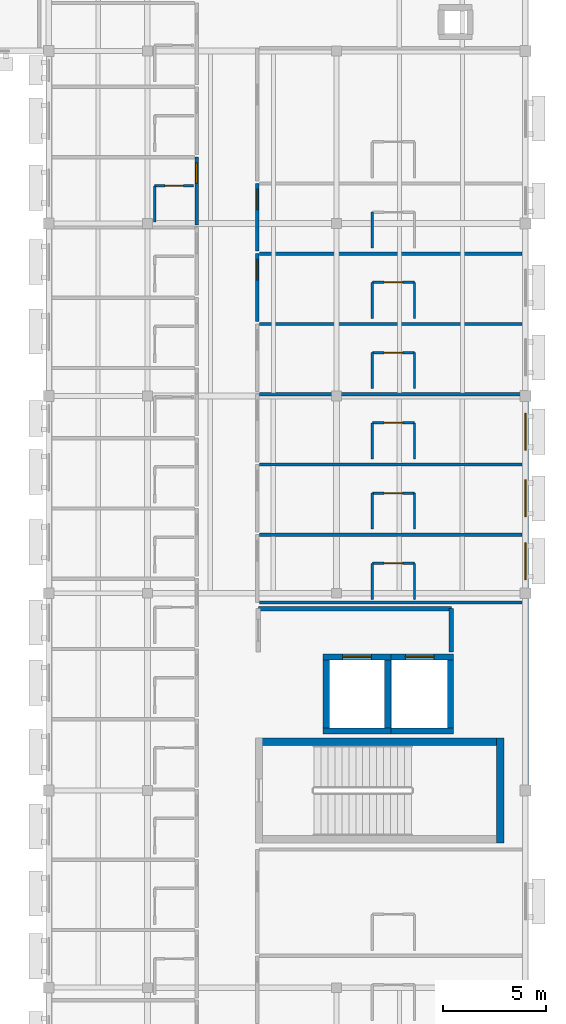
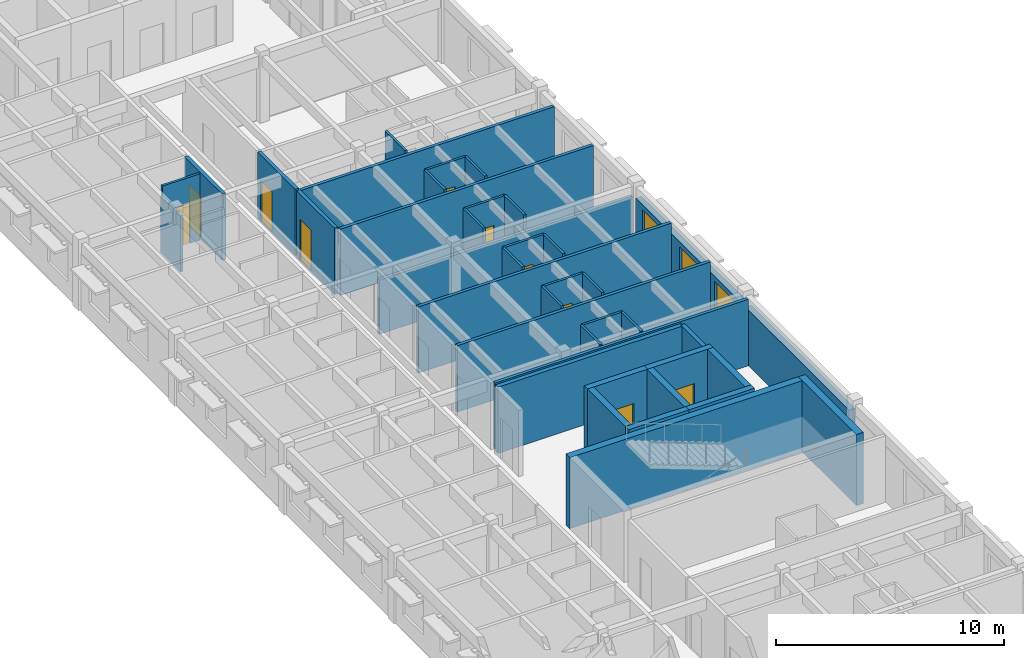
# One storey, part 11 of 22: 40 walls, 11 doors, 3 windows, 14 openings.
"""IFC4 building model written with IfcOpenShell, lengths in metres."""

from ifc_helpers import new_model, si_unit, direction, frame, frame_2d, origin, place, context, subcontext, project, spatial, rectangle, extrude, material, layer, layer_set, type_object, element, fill, save


model = new_model("IFC4")

# Units and contexts
model_context = context("Model", 3, precision=1e-05, world=origin(), true_north=direction((0.0, 1.0)))
body_context = subcontext(model_context, "Body", "Model", "MODEL_VIEW")
ifc_project = project(units=[si_unit("LENGTHUNIT", "METRE"), si_unit("AREAUNIT", "SQUARE_METRE"), si_unit("VOLUMEUNIT", "CUBIC_METRE"), si_unit("PLANEANGLEUNIT", "RADIAN"), si_unit("MASSUNIT", "GRAM", prefix="KILO")], contexts=[model_context])

# Site, building, storey
site_placement = place(None, origin())
site = spatial("IfcSite", under=ifc_project, at=site_placement, CompositionType="ELEMENT")
building_placement = place(site_placement, origin())
building = spatial("IfcBuilding", under=site, at=building_placement, Name="Veldera Park Congress Hotel", CompositionType="ELEMENT")
storey_placement = place(building_placement, frame((0.0, 0.0, 23.800048828125)))
storey = spatial("IfcBuildingStorey", under=building, at=storey_placement, Name="L05", CompositionType="ELEMENT", Elevation=23.800048828125)

# Wall
ifc_material_1 = material(Name="Cross-laminated timber CLT V2M1.1", Category="wood")
ifc_layer_1 = layer(ifc_material_1, 0.300048828125)
ifc_layer_set_1 = layer_set([ifc_layer_1], Name="Cross-laminated timber CLT V2M1.1")
wall_type_1 = type_object("IfcWallType", Name="EW-CLT300", PredefinedType="STANDARD", material=ifc_layer_set_1)
wall_1_placement = place(storey_placement, frame((84.0, -8.741943359375, 0.0), z_axis=(0.0, 0.0, 1.0), x_axis=(0.0, 1.0, 0.0)))
element("IfcWall", 1, at=wall_1_placement, inside=storey, type_object=wall_type_1, Name="L05 Exterior Wall EW3-L05-0283", PredefinedType="STANDARD", context=body_context, shape_type="SweptSolid", body=[
    extrude(rectangle(XDim=9.083984375, YDim=0.300048828125, at=frame_2d((4.5419921875, 0.0))), origin(), (0.0, 0.0, 1.0), 2.96484375),
])

# Wall, openings, windows
wall_2_placement = place(storey_placement, frame((84.0, 0.85791015625, 0.0), z_axis=(0.0, 0.0, 1.0), x_axis=(0.0, 1.0, 0.0)))
wall_2 = element("IfcWall", 2, at=wall_2_placement, inside=storey, type_object=wall_type_1, Name="L05 Exterior Wall EW3-L05-0284", PredefinedType="STANDARD", context=body_context, shape_type="SweptSolid", body=[
    extrude(rectangle(XDim=9.083984375, YDim=0.300048828125, at=frame_2d((4.5419921875, 0.0))), origin(), (0.0, 0.0, 1.0), 2.96484375),
])
opening_1_placement = place(wall_2_placement, frame((0.39599609375, 0.0, 0.85009765625)))
opening_1 = element("IfcOpeningElement", 3, at=opening_1_placement, cuts=wall_2, Name="Opening WIN-1800", PredefinedType="OPENING", context=body_context, shape_type="SweptSolid", body=[
    extrude(rectangle(XDim=1.800048828125, YDim=1.85009765625, at=frame_2d((0.89990234375, 0.925048828125))), frame((0.0, 0.162109375, 0.0), z_axis=(0.0, -1.0, 0.0), x_axis=(1.0, 0.0, 0.0)), (0.0, 0.0, 1.0), 0.323974609375),
])
opening_2_placement = place(wall_2_placement, frame((3.4619140625, 0.0, 0.85009765625)))
opening_2 = element("IfcOpeningElement", 4, at=opening_2_placement, cuts=wall_2, Name="Opening WIN-1800", PredefinedType="OPENING", context=body_context, shape_type="SweptSolid", body=[
    extrude(rectangle(XDim=1.800048828125, YDim=1.85009765625, at=frame_2d((0.89990234375, 0.925048828125))), frame((0.0, 0.162109375, 0.0), z_axis=(0.0, -1.0, 0.0), x_axis=(1.0, 0.0, 0.0)), (0.0, 0.0, 1.0), 0.323974609375),
])
opening_3_placement = place(wall_2_placement, frame((6.7080078125, 0.0, 0.85009765625)))
opening_3 = element("IfcOpeningElement", 5, at=opening_3_placement, cuts=wall_2, Name="Opening WIN-1800", PredefinedType="OPENING", context=body_context, shape_type="SweptSolid", body=[
    extrude(rectangle(XDim=1.800048828125, YDim=1.85009765625, at=frame_2d((0.89990234375, 0.925048828125))), frame((0.0, 0.162109375, 0.0), z_axis=(0.0, -1.0, 0.0), x_axis=(1.0, 0.0, 0.0)), (0.0, 0.0, 1.0), 0.323974609375),
])
ifc_material_2 = material(Name="Low-E Triple Insulating Glass Unit (SHGC 0.22)", Category="glass")
window_type = type_object("IfcWindowType", Name="WIN-1800", PartitioningType="SINGLE_PANEL", PredefinedType="WINDOW", material=ifc_material_2)
window_1_placement = place(opening_1_placement, origin())
window_1 = element("IfcWindow", 6, at=window_1_placement, inside=storey, type_object=window_type, Name="L05 Window WIN-1800 499", OverallHeight=1.85009765625, OverallWidth=1.800048828125, PartitioningType="SINGLE_PANEL", PredefinedType="WINDOW", context=body_context, shape_type="SweptSolid", body=[
    extrude(rectangle(XDim=1.800048828125, YDim=1.85009765625, at=frame_2d((0.89990234375, 0.925048828125))), frame((0.0, 0.030029296875, 0.0), z_axis=(0.0, -1.0, 0.0), x_axis=(1.0, 0.0, 0.0)), (0.0, 0.0, 1.0), 0.06005859375),
])
fill(opening_1, window_1)
window_2_placement = place(opening_2_placement, origin())
window_2 = element("IfcWindow", 7, at=window_2_placement, inside=storey, type_object=window_type, Name="L05 Window WIN-1800 500", OverallHeight=1.85009765625, OverallWidth=1.800048828125, PartitioningType="SINGLE_PANEL", PredefinedType="WINDOW", context=body_context, shape_type="SweptSolid", body=[
    extrude(rectangle(XDim=1.800048828125, YDim=1.85009765625, at=frame_2d((0.89990234375, 0.925048828125))), frame((0.0, 0.030029296875, 0.0), z_axis=(0.0, -1.0, 0.0), x_axis=(1.0, 0.0, 0.0)), (0.0, 0.0, 1.0), 0.06005859375),
])
fill(opening_2, window_2)
window_3_placement = place(opening_3_placement, origin())
window_3 = element("IfcWindow", 8, at=window_3_placement, inside=storey, type_object=window_type, Name="L05 Window WIN-1800 501", OverallHeight=1.85009765625, OverallWidth=1.800048828125, PartitioningType="SINGLE_PANEL", PredefinedType="WINDOW", context=body_context, shape_type="SweptSolid", body=[
    extrude(rectangle(XDim=1.800048828125, YDim=1.85009765625, at=frame_2d((0.89990234375, 0.925048828125))), frame((0.0, 0.030029296875, 0.0), z_axis=(0.0, -1.0, 0.0), x_axis=(1.0, 0.0, 0.0)), (0.0, 0.0, 1.0), 0.06005859375),
])
fill(opening_3, window_3)

# Wall
ifc_material_3 = material(Name="Fire-Rated Gypsum Board on Cold-Formed Steel Studs", Category="steel")
ifc_layer_2 = layer(ifc_material_3, 0.1201171875)
ifc_layer_set_2 = layer_set([ifc_layer_2], Name="Fire-Rated Gypsum Board on Cold-Formed Steel Studs")
wall_type_2 = type_object("IfcWallType", Name="IW-BATH120", PredefinedType="PARTITIONING", material=ifc_layer_set_2)
wall_3_placement = place(storey_placement, frame((65.949951171875, 18.679931640625, 0.0), z_axis=(0.0, 0.0, 1.0), x_axis=(0.0, 1.0, 0.0)))
element("IfcWall", 9, at=wall_3_placement, inside=storey, type_object=wall_type_2, Name="L05 Partition Wall IW3-L05-01067", PredefinedType="PARTITIONING", context=body_context, shape_type="SweptSolid", body=[
    extrude(rectangle(XDim=1.75, YDim=0.1201171875, at=frame_2d((0.875, 0.0))), origin(), (0.0, 0.0, 1.0), 3.0048828125),
])

# Wall, opening, door
wall_4_placement = place(storey_placement, frame((65.949951171875, 20.429931640625, 0.0), z_axis=(0.0, 0.0, 1.0), x_axis=(1.0, 0.0, 0.0)))
wall_4 = element("IfcWall", 10, at=wall_4_placement, inside=storey, type_object=wall_type_2, Name="L05 Partition Wall IW3-L05-01068", PredefinedType="PARTITIONING", context=body_context, shape_type="SweptSolid", body=[
    extrude(rectangle(XDim=1.900146484375, YDim=0.1201171875, at=frame_2d((0.9501953125, 0.0))), origin(), (0.0, 0.0, 1.0), 3.550048828125),
])
opening_4_placement = place(wall_4_placement, frame((0.5, 0.0, 0.0)))
opening_4 = element("IfcOpeningElement", 11, at=opening_4_placement, cuts=wall_4, Name="Opening ID-BATH090", PredefinedType="OPENING", context=body_context, shape_type="SweptSolid", body=[
    extrude(rectangle(XDim=0.89990234375, YDim=2.14990234375, at=frame_2d((0.449951171875, 1.074951171875))), frame((0.0, 0.072021484375, 0.0), z_axis=(0.0, -1.0, 0.0), x_axis=(1.0, 0.0, 0.0)), (0.0, 0.0, 1.0), 0.14404296875),
])
ifc_material_4 = material(Name="Solid Core White Oak Architectural Door", Category="wood")
door_type_1 = type_object("IfcDoorType", Name="ID-BATH090", OperationType="NOTDEFINED", PredefinedType="DOOR", material=ifc_material_4)
door_1_placement = place(opening_4_placement, origin())
door_1 = element("IfcDoor", 12, at=door_1_placement, inside=storey, type_object=door_type_1, Name="L05 En-suite 153 Door ID3-L05-0445 (DR3-ID3-L05-0445)", OperationType="SINGLE_SWING_LEFT", OverallHeight=2.14990234375, OverallWidth=0.89990234375, PredefinedType="DOOR", context=body_context, shape_type="SweptSolid", body=[
    extrude(rectangle(XDim=0.89990234375, YDim=2.14990234375, at=frame_2d((0.449951171875, 1.074951171875))), frame((0.0, 0.02490234375, 0.0), z_axis=(0.0, -1.0, 0.0), x_axis=(1.0, 0.0, 0.0)), (0.0, 0.0, 1.0), 0.050048828125),
])
fill(opening_4, door_1)

# Walls
for number, where, z_axis, x_axis, name in (
    (13, (76.550048828125, 0.300048828125, 0.0), (0.0, 0.0, 1.0), (0.0, 1.0, 0.0), "L05 Partition Wall IW3-L05-01116"),
    (14, (78.60009765625, 0.300048828125, 0.0), (0.0, 0.0, 1.0), (0.0, 1.0, 0.0), "L05 Partition Wall IW3-L05-01117"),
):
    element("IfcWall", number, at=place(storey_placement, frame(where, z_axis=z_axis, x_axis=x_axis)), inside=storey, type_object=wall_type_2, Name=name, PredefinedType="PARTITIONING", context=body_context, shape_type="SweptSolid", body=[
        extrude(rectangle(XDim=1.75, YDim=0.1201171875, at=frame_2d((0.875, 0.0))), origin(), (0.0, 0.0, 1.0), 3.550048828125),
    ])

# Wall, opening, door
wall_5_placement = place(storey_placement, frame((76.550048828125, 2.050048828125, 0.0), z_axis=(0.0, 0.0, 1.0), x_axis=(1.0, 0.0, 0.0)))
wall_5 = element("IfcWall", 15, at=wall_5_placement, inside=storey, type_object=wall_type_2, Name="L05 Partition Wall IW3-L05-01118", PredefinedType="PARTITIONING", context=body_context, shape_type="SweptSolid", body=[
    extrude(rectangle(XDim=2.050048828125, YDim=0.1201171875, at=frame_2d((1.02490234375, 0.0))), origin(), (0.0, 0.0, 1.0), 3.550048828125),
])
opening_5_placement = place(wall_5_placement, frame((0.574951171875, 0.0, 0.0)))
opening_5 = element("IfcOpeningElement", 16, at=opening_5_placement, cuts=wall_5, Name="Opening ID-BATH090", PredefinedType="OPENING", context=body_context, shape_type="SweptSolid", body=[
    extrude(rectangle(XDim=0.89990234375, YDim=2.14990234375, at=frame_2d((0.449951171875, 1.074951171875))), frame((0.0, 0.072021484375, 0.0), z_axis=(0.0, -1.0, 0.0), x_axis=(1.0, 0.0, 0.0)), (0.0, 0.0, 1.0), 0.14404296875),
])
door_2_placement = place(opening_5_placement, origin())
door_2 = element("IfcDoor", 17, at=door_2_placement, inside=storey, type_object=door_type_1, Name="L05 En-suite 163 Door ID3-L05-0465 (DR3-ID3-L05-0465)", OperationType="SINGLE_SWING_LEFT", OverallHeight=2.14990234375, OverallWidth=0.89990234375, PredefinedType="DOOR", context=body_context, shape_type="SweptSolid", body=[
    extrude(rectangle(XDim=0.89990234375, YDim=2.14990234375, at=frame_2d((0.449951171875, 1.074951171875))), frame((0.0, 0.02490234375, 0.0), z_axis=(0.0, -1.0, 0.0), x_axis=(1.0, 0.0, 0.0)), (0.0, 0.0, 1.0), 0.050048828125),
])
fill(opening_5, door_2)

# Walls
for number, where, z_axis, x_axis, name in (
    (18, (76.550048828125, 3.719970703125, 0.0), (0.0, 0.0, 1.0), (0.0, 1.0, 0.0), "L05 Partition Wall IW3-L05-01121"),
    (19, (78.60009765625, 3.719970703125, 0.0), (0.0, 0.0, 1.0), (0.0, 1.0, 0.0), "L05 Partition Wall IW3-L05-01122"),
):
    element("IfcWall", number, at=place(storey_placement, frame(where, z_axis=z_axis, x_axis=x_axis)), inside=storey, type_object=wall_type_2, Name=name, PredefinedType="PARTITIONING", context=body_context, shape_type="SweptSolid", body=[
        extrude(rectangle(XDim=1.75, YDim=0.1201171875, at=frame_2d((0.875, 0.0))), origin(), (0.0, 0.0, 1.0), 3.550048828125),
    ])

# Wall, opening, door
wall_6_placement = place(storey_placement, frame((76.550048828125, 5.469970703125, 0.0), z_axis=(0.0, 0.0, 1.0), x_axis=(1.0, 0.0, 0.0)))
wall_6 = element("IfcWall", 20, at=wall_6_placement, inside=storey, type_object=wall_type_2, Name="L05 Partition Wall IW3-L05-01123", PredefinedType="PARTITIONING", context=body_context, shape_type="SweptSolid", body=[
    extrude(rectangle(XDim=2.050048828125, YDim=0.1201171875, at=frame_2d((1.02490234375, 0.0))), origin(), (0.0, 0.0, 1.0), 3.550048828125),
])
opening_6_placement = place(wall_6_placement, frame((0.574951171875, 0.0, 0.0)))
opening_6 = element("IfcOpeningElement", 21, at=opening_6_placement, cuts=wall_6, Name="Opening ID-BATH090", PredefinedType="OPENING", context=body_context, shape_type="SweptSolid", body=[
    extrude(rectangle(XDim=0.89990234375, YDim=2.14990234375, at=frame_2d((0.449951171875, 1.074951171875))), frame((0.0, 0.072021484375, 0.0), z_axis=(0.0, -1.0, 0.0), x_axis=(1.0, 0.0, 0.0)), (0.0, 0.0, 1.0), 0.14404296875),
])
door_3_placement = place(opening_6_placement, origin())
door_3 = element("IfcDoor", 22, at=door_3_placement, inside=storey, type_object=door_type_1, Name="L05 En-suite 164 Door ID3-L05-0467 (DR3-ID3-L05-0467)", OperationType="SINGLE_SWING_LEFT", OverallHeight=2.14990234375, OverallWidth=0.89990234375, PredefinedType="DOOR", context=body_context, shape_type="SweptSolid", body=[
    extrude(rectangle(XDim=0.89990234375, YDim=2.14990234375, at=frame_2d((0.449951171875, 1.074951171875))), frame((0.0, 0.02490234375, 0.0), z_axis=(0.0, -1.0, 0.0), x_axis=(1.0, 0.0, 0.0)), (0.0, 0.0, 1.0), 0.050048828125),
])
fill(opening_6, door_3)

# Walls
for number, where, z_axis, x_axis, name in (
    (23, (76.550048828125, 7.139892578125, 0.0), (0.0, 0.0, 1.0), (0.0, 1.0, 0.0), "L05 Partition Wall IW3-L05-01126"),
    (24, (78.60009765625, 7.139892578125, 0.0), (0.0, 0.0, 1.0), (0.0, 1.0, 0.0), "L05 Partition Wall IW3-L05-01127"),
):
    element("IfcWall", number, at=place(storey_placement, frame(where, z_axis=z_axis, x_axis=x_axis)), inside=storey, type_object=wall_type_2, Name=name, PredefinedType="PARTITIONING", context=body_context, shape_type="SweptSolid", body=[
        extrude(rectangle(XDim=1.75, YDim=0.1201171875, at=frame_2d((0.875, 0.0))), origin(), (0.0, 0.0, 1.0), 3.550048828125),
    ])

# Wall, opening, door
wall_7_placement = place(storey_placement, frame((76.550048828125, 8.889892578125, 0.0), z_axis=(0.0, 0.0, 1.0), x_axis=(1.0, 0.0, 0.0)))
wall_7 = element("IfcWall", 25, at=wall_7_placement, inside=storey, type_object=wall_type_2, Name="L05 Partition Wall IW3-L05-01128", PredefinedType="PARTITIONING", context=body_context, shape_type="SweptSolid", body=[
    extrude(rectangle(XDim=2.050048828125, YDim=0.1201171875, at=frame_2d((1.02490234375, 0.0))), origin(), (0.0, 0.0, 1.0), 3.550048828125),
])
opening_7_placement = place(wall_7_placement, frame((0.574951171875, 0.0, 0.0)))
opening_7 = element("IfcOpeningElement", 26, at=opening_7_placement, cuts=wall_7, Name="Opening ID-BATH090", PredefinedType="OPENING", context=body_context, shape_type="SweptSolid", body=[
    extrude(rectangle(XDim=0.89990234375, YDim=2.14990234375, at=frame_2d((0.449951171875, 1.074951171875))), frame((0.0, 0.072021484375, 0.0), z_axis=(0.0, -1.0, 0.0), x_axis=(1.0, 0.0, 0.0)), (0.0, 0.0, 1.0), 0.14404296875),
])
door_4_placement = place(opening_7_placement, origin())
door_4 = element("IfcDoor", 27, at=door_4_placement, inside=storey, type_object=door_type_1, Name="L05 En-suite 165 Door ID3-L05-0469 (DR3-ID3-L05-0469)", OperationType="SINGLE_SWING_LEFT", OverallHeight=2.14990234375, OverallWidth=0.89990234375, PredefinedType="DOOR", context=body_context, shape_type="SweptSolid", body=[
    extrude(rectangle(XDim=0.89990234375, YDim=2.14990234375, at=frame_2d((0.449951171875, 1.074951171875))), frame((0.0, 0.02490234375, 0.0), z_axis=(0.0, -1.0, 0.0), x_axis=(1.0, 0.0, 0.0)), (0.0, 0.0, 1.0), 0.050048828125),
])
fill(opening_7, door_4)

# Walls
for number, where, z_axis, x_axis, name in (
    (28, (76.550048828125, 10.56005859375, 0.0), (0.0, 0.0, 1.0), (0.0, 1.0, 0.0), "L05 Partition Wall IW3-L05-01131"),
    (29, (78.60009765625, 10.56005859375, 0.0), (0.0, 0.0, 1.0), (0.0, 1.0, 0.0), "L05 Partition Wall IW3-L05-01132"),
):
    element("IfcWall", number, at=place(storey_placement, frame(where, z_axis=z_axis, x_axis=x_axis)), inside=storey, type_object=wall_type_2, Name=name, PredefinedType="PARTITIONING", context=body_context, shape_type="SweptSolid", body=[
        extrude(rectangle(XDim=1.75, YDim=0.1201171875, at=frame_2d((0.875, 0.0))), origin(), (0.0, 0.0, 1.0), 3.550048828125),
    ])

# Wall, opening, door
wall_8_placement = place(storey_placement, frame((76.550048828125, 12.31005859375, 0.0), z_axis=(0.0, 0.0, 1.0), x_axis=(1.0, 0.0, 0.0)))
wall_8 = element("IfcWall", 30, at=wall_8_placement, inside=storey, type_object=wall_type_2, Name="L05 Partition Wall IW3-L05-01133", PredefinedType="PARTITIONING", context=body_context, shape_type="SweptSolid", body=[
    extrude(rectangle(XDim=2.050048828125, YDim=0.1201171875, at=frame_2d((1.02490234375, 0.0))), origin(), (0.0, 0.0, 1.0), 3.550048828125),
])
opening_8_placement = place(wall_8_placement, frame((0.574951171875, 0.0, 0.0)))
opening_8 = element("IfcOpeningElement", 31, at=opening_8_placement, cuts=wall_8, Name="Opening ID-BATH090", PredefinedType="OPENING", context=body_context, shape_type="SweptSolid", body=[
    extrude(rectangle(XDim=0.89990234375, YDim=2.14990234375, at=frame_2d((0.449951171875, 1.074951171875))), frame((0.0, 0.072021484375, 0.0), z_axis=(0.0, -1.0, 0.0), x_axis=(1.0, 0.0, 0.0)), (0.0, 0.0, 1.0), 0.14404296875),
])
door_5_placement = place(opening_8_placement, origin())
door_5 = element("IfcDoor", 32, at=door_5_placement, inside=storey, type_object=door_type_1, Name="L05 En-suite 166 Door ID3-L05-0471 (DR3-ID3-L05-0471)", OperationType="SINGLE_SWING_LEFT", OverallHeight=2.14990234375, OverallWidth=0.89990234375, PredefinedType="DOOR", context=body_context, shape_type="SweptSolid", body=[
    extrude(rectangle(XDim=0.89990234375, YDim=2.14990234375, at=frame_2d((0.449951171875, 1.074951171875))), frame((0.0, 0.02490234375, 0.0), z_axis=(0.0, -1.0, 0.0), x_axis=(1.0, 0.0, 0.0)), (0.0, 0.0, 1.0), 0.050048828125),
])
fill(opening_8, door_5)

# Walls
for number, where, z_axis, x_axis, name in (
    (33, (76.550048828125, 13.97998046875, 0.0), (0.0, 0.0, 1.0), (0.0, 1.0, 0.0), "L05 Partition Wall IW3-L05-01136"),
    (34, (78.60009765625, 13.97998046875, 0.0), (0.0, 0.0, 1.0), (0.0, 1.0, 0.0), "L05 Partition Wall IW3-L05-01137"),
):
    element("IfcWall", number, at=place(storey_placement, frame(where, z_axis=z_axis, x_axis=x_axis)), inside=storey, type_object=wall_type_2, Name=name, PredefinedType="PARTITIONING", context=body_context, shape_type="SweptSolid", body=[
        extrude(rectangle(XDim=1.75, YDim=0.1201171875, at=frame_2d((0.875, 0.0))), origin(), (0.0, 0.0, 1.0), 3.550048828125),
    ])

# Wall, opening, door
wall_9_placement = place(storey_placement, frame((76.550048828125, 15.72998046875, 0.0), z_axis=(0.0, 0.0, 1.0), x_axis=(1.0, 0.0, 0.0)))
wall_9 = element("IfcWall", 35, at=wall_9_placement, inside=storey, type_object=wall_type_2, Name="L05 Partition Wall IW3-L05-01138", PredefinedType="PARTITIONING", context=body_context, shape_type="SweptSolid", body=[
    extrude(rectangle(XDim=2.050048828125, YDim=0.1201171875, at=frame_2d((1.02490234375, 0.0))), origin(), (0.0, 0.0, 1.0), 3.550048828125),
])
opening_9_placement = place(wall_9_placement, frame((0.574951171875, 0.0, 0.0)))
opening_9 = element("IfcOpeningElement", 36, at=opening_9_placement, cuts=wall_9, Name="Opening ID-BATH090", PredefinedType="OPENING", context=body_context, shape_type="SweptSolid", body=[
    extrude(rectangle(XDim=0.89990234375, YDim=2.14990234375, at=frame_2d((0.449951171875, 1.074951171875))), frame((0.0, 0.072021484375, 0.0), z_axis=(0.0, -1.0, 0.0), x_axis=(1.0, 0.0, 0.0)), (0.0, 0.0, 1.0), 0.14404296875),
])
door_6_placement = place(opening_9_placement, origin())
door_6 = element("IfcDoor", 37, at=door_6_placement, inside=storey, type_object=door_type_1, Name="L05 En-suite 167 Door ID3-L05-0473 (DR3-ID3-L05-0473)", OperationType="SINGLE_SWING_LEFT", OverallHeight=2.14990234375, OverallWidth=0.89990234375, PredefinedType="DOOR", context=body_context, shape_type="SweptSolid", body=[
    extrude(rectangle(XDim=0.89990234375, YDim=2.14990234375, at=frame_2d((0.449951171875, 1.074951171875))), frame((0.0, 0.02490234375, 0.0), z_axis=(0.0, -1.0, 0.0), x_axis=(1.0, 0.0, 0.0)), (0.0, 0.0, 1.0), 0.050048828125),
])
fill(opening_9, door_6)

# Wall
wall_10_placement = place(storey_placement, frame((76.550048828125, 17.39990234375, 0.0), z_axis=(0.0, 0.0, 1.0), x_axis=(0.0, 1.0, 0.0)))
element("IfcWall", 38, at=wall_10_placement, inside=storey, type_object=wall_type_2, Name="L05 Partition Wall IW3-L05-01141", PredefinedType="PARTITIONING", context=body_context, shape_type="SweptSolid", body=[
    extrude(rectangle(XDim=1.75, YDim=0.1201171875, at=frame_2d((0.875, 0.0))), origin(), (0.0, 0.0, 1.0), 3.550048828125),
])

# Wall, opening, door
ifc_layer_3 = layer(ifc_material_3, 0.179931640625)
ifc_layer_set_3 = layer_set([ifc_layer_3], Name="Fire-Rated Gypsum Board on Cold-Formed Steel Studs")
wall_type_3 = type_object("IfcWallType", Name="IW-CORR180", PredefinedType="PARTITIONING", material=ifc_layer_set_3)
wall_11_placement = place(storey_placement, frame((68.0, 18.530029296875, 0.0), z_axis=(0.0, 0.0, 1.0), x_axis=(0.0, 1.0, 0.0)))
wall_11 = element("IfcWall", 39, at=wall_11_placement, inside=storey, type_object=wall_type_3, Name="L05 Corridor Wall IW3-L05-01065", PredefinedType="PARTITIONING", context=body_context, shape_type="SweptSolid", body=[
    extrude(rectangle(XDim=3.300048828125, YDim=0.179931640625, at=frame_2d((1.64990234375, 0.0))), origin(), (0.0, 0.0, 1.0), 3.550048828125),
])
opening_10_placement = place(wall_11_placement, frame((2.02001953125, 0.0, 0.0)))
opening_10 = element("IfcOpeningElement", 40, at=opening_10_placement, cuts=wall_11, Name="Opening ID-UNIT100", PredefinedType="OPENING", context=body_context, shape_type="SweptSolid", body=[
    extrude(rectangle(XDim=1.0, YDim=2.199951171875, at=frame_2d((0.5, 1.10009765625))), frame((0.0, 0.10205078125, 0.0), z_axis=(0.0, -1.0, 0.0), x_axis=(1.0, 0.0, 0.0)), (0.0, 0.0, 1.0), 0.203857421875),
])
door_type_2 = type_object("IfcDoorType", Name="ID-UNIT100", OperationType="NOTDEFINED", PredefinedType="DOOR", material=ifc_material_4)
door_7_placement = place(opening_10_placement, origin())
door_7 = element("IfcDoor", 41, at=door_7_placement, inside=storey, type_object=door_type_2, Name="L05 Guestroom 153 Entry Door (DR3-UD3-L05-153)", OperationType="SINGLE_SWING_RIGHT", OverallHeight=2.199951171875, OverallWidth=1.0, PredefinedType="DOOR", context=body_context, shape_type="SweptSolid", body=[
    extrude(rectangle(XDim=1.0, YDim=2.199951171875, at=frame_2d((0.5, 1.10009765625))), frame((0.0, 0.02490234375, 0.0), z_axis=(0.0, -1.0, 0.0), x_axis=(1.0, 0.0, 0.0)), (0.0, 0.0, 1.0), 0.050048828125),
])
fill(opening_10, door_7)

wall_12_placement = place(storey_placement, frame((70.949951171875, 17.1298828125, 0.0), z_axis=(0.0, 0.0, 1.0), x_axis=(0.0, -1.0, 0.0)))
wall_12 = element("IfcWall", 42, at=wall_12_placement, inside=storey, type_object=wall_type_3, Name="L05 Corridor Wall IW3-L05-01134", PredefinedType="PARTITIONING", context=body_context, shape_type="SweptSolid", body=[
    extrude(rectangle(XDim=3.2998046875, YDim=0.179931640625, at=frame_2d((1.64990234375, 0.0))), origin(), (0.0, 0.0, 1.0), 3.550048828125),
])
opening_11_placement = place(wall_12_placement, frame((0.280029296875, 0.0, 0.0)))
opening_11 = element("IfcOpeningElement", 43, at=opening_11_placement, cuts=wall_12, Name="Opening ID-UNIT100", PredefinedType="OPENING", context=body_context, shape_type="SweptSolid", body=[
    extrude(rectangle(XDim=1.0, YDim=2.199951171875, at=frame_2d((0.5, 1.10009765625))), frame((0.0, 0.10205078125, 0.0), z_axis=(0.0, -1.0, 0.0), x_axis=(1.0, 0.0, 0.0)), (0.0, 0.0, 1.0), 0.203857421875),
])
door_8_placement = place(opening_11_placement, origin())
door_8 = element("IfcDoor", 44, at=door_8_placement, inside=storey, type_object=door_type_2, Name="L05 Guestroom 167 Entry Door (DR3-UD3-L05-167)", OperationType="SINGLE_SWING_RIGHT", OverallHeight=2.199951171875, OverallWidth=1.0, PredefinedType="DOOR", context=body_context, shape_type="SweptSolid", body=[
    extrude(rectangle(XDim=1.0, YDim=2.199951171875, at=frame_2d((0.5, 1.10009765625))), frame((0.0, 0.02490234375, 0.0), z_axis=(0.0, -1.0, 0.0), x_axis=(1.0, 0.0, 0.0)), (0.0, 0.0, 1.0), 0.050048828125),
])
fill(opening_11, door_8)

wall_13_placement = place(storey_placement, frame((70.949951171875, 20.550048828125, 0.0), z_axis=(0.0, 0.0, 1.0), x_axis=(0.0, -1.0, 0.0)))
wall_13 = element("IfcWall", 45, at=wall_13_placement, inside=storey, type_object=wall_type_3, Name="L05 Corridor Wall IW3-L05-01139", PredefinedType="PARTITIONING", context=body_context, shape_type="SweptSolid", body=[
    extrude(rectangle(XDim=3.300048828125, YDim=0.179931640625, at=frame_2d((1.64990234375, 0.0))), origin(), (0.0, 0.0, 1.0), 3.550048828125),
])
opening_12_placement = place(wall_13_placement, frame((0.280029296875, 0.0, 0.0)))
opening_12 = element("IfcOpeningElement", 46, at=opening_12_placement, cuts=wall_13, Name="Opening ID-UNIT100", PredefinedType="OPENING", context=body_context, shape_type="SweptSolid", body=[
    extrude(rectangle(XDim=1.0, YDim=2.199951171875, at=frame_2d((0.5, 1.10009765625))), frame((0.0, 0.10205078125, 0.0), z_axis=(0.0, -1.0, 0.0), x_axis=(1.0, 0.0, 0.0)), (0.0, 0.0, 1.0), 0.203857421875),
])
door_9_placement = place(opening_12_placement, origin())
door_9 = element("IfcDoor", 47, at=door_9_placement, inside=storey, type_object=door_type_2, Name="L05 Guestroom 168 Entry Door (DR3-UD3-L05-168)", OperationType="SINGLE_SWING_RIGHT", OverallHeight=2.199951171875, OverallWidth=1.0, PredefinedType="DOOR", context=body_context, shape_type="SweptSolid", body=[
    extrude(rectangle(XDim=1.0, YDim=2.199951171875, at=frame_2d((0.5, 1.10009765625))), frame((0.0, 0.02490234375, 0.0), z_axis=(0.0, -1.0, 0.0), x_axis=(1.0, 0.0, 0.0)), (0.0, 0.0, 1.0), 0.050048828125),
])
fill(opening_12, door_9)

# Walls
ifc_material_5 = material(Name="Concrete f'c 40 MPa (5,800 psi)", Category="concrete")
ifc_layer_4 = layer(ifc_material_5, 0.219970703125)
ifc_layer_set_4 = layer_set([ifc_layer_4], Name="Concrete f'c 40 MPa (5,800 psi)")
wall_type_4 = type_object("IfcWallType", Name="IW-FIRE220", PredefinedType="STANDARD", material=ifc_layer_set_4)
wall_14_placement = place(storey_placement, frame((80.39990234375, -2.25, 0.0), z_axis=(0.0, 0.0, 1.0), x_axis=(0.0, 1.0, 0.0)))
element("IfcWall", 48, at=wall_14_placement, inside=storey, type_object=wall_type_4, Name="L05 Partition Wall IW3-L05-00253", PredefinedType="STANDARD", context=body_context, shape_type="SweptSolid", body=[
    extrude(rectangle(XDim=2.10009765625, YDim=0.219970703125, at=frame_2d((1.050048828125, 0.0))), origin(), (0.0, 0.0, 1.0), 3.550048828125),
])
wall_15_placement = place(storey_placement, frame((80.39990234375, -0.14990234375, 0.0), z_axis=(0.0, 0.0, 1.0), x_axis=(-1.0, 0.0, 0.0)))
element("IfcWall", 49, at=wall_15_placement, inside=storey, type_object=wall_type_4, Name="L05 Partition Wall IW3-L05-00254", PredefinedType="STANDARD", context=body_context, shape_type="SweptSolid", body=[
    extrude(rectangle(XDim=9.39990234375, YDim=0.219970703125, at=frame_2d((4.699951171875, 0.0))), origin(), (0.0, 0.0, 1.0), 3.550048828125),
])
ifc_layer_5 = layer(ifc_material_1, 0.159912109375)
ifc_layer_set_5 = layer_set([ifc_layer_5], Name="Cross-laminated timber CLT V2M1.1")
wall_type_5 = type_object("IfcWallType", Name="IW-UNIT160", PredefinedType="PARTITIONING", material=ifc_layer_set_5)
for number, where, z_axis, x_axis, name in (
    (50, (71.050048828125, 0.14990234375, 0.0), (0.0, 0.0, 1.0), (1.0, 0.0, 0.0), "L05 Partition Wall IW3-L05-01114"),
    (51, (71.050048828125, 3.449951171875, 0.0), (0.0, 0.0, 1.0), (1.0, 0.0, 0.0), "L05 Partition Wall IW3-L05-01115"),
    (52, (71.050048828125, 6.8701171875, 0.0), (0.0, 0.0, 1.0), (1.0, 0.0, 0.0), "L05 Partition Wall IW3-L05-01120"),
):
    element("IfcWall", number, at=place(storey_placement, frame(where, z_axis=z_axis, x_axis=x_axis)), inside=storey, type_object=wall_type_5, Name=name, PredefinedType="PARTITIONING", context=body_context, shape_type="SweptSolid", body=[
        extrude(rectangle(XDim=12.7900390625, YDim=0.159912109375, at=frame_2d((6.39501953125, 0.0))), origin(), (0.0, 0.0, 1.0), 3.550048828125),
    ])
wall_16_placement = place(storey_placement, frame((71.050048828125, 10.2900390625, 0.0), z_axis=(0.0, 0.0, 1.0), x_axis=(1.0, 0.0, 0.0)))
element("IfcWall", 53, at=wall_16_placement, inside=storey, type_object=wall_type_5, Name="L05 Partition Wall IW3-L05-01125", PredefinedType="PARTITIONING", context=body_context, shape_type="SweptSolid", body=[
    extrude(rectangle(XDim=12.7900390625, YDim=0.159912109375, at=frame_2d((6.39501953125, 0.0))), origin(), (0.0, 0.0, 1.0), 2.905029296875),
])
for number, where, z_axis, x_axis, name in (
    (54, (71.050048828125, 13.7099609375, 0.0), (0.0, 0.0, 1.0), (1.0, 0.0, 0.0), "L05 Partition Wall IW3-L05-01130"),
    (55, (71.050048828125, 17.1298828125, 0.0), (0.0, 0.0, 1.0), (1.0, 0.0, 0.0), "L05 Partition Wall IW3-L05-01135"),
):
    element("IfcWall", number, at=place(storey_placement, frame(where, z_axis=z_axis, x_axis=x_axis)), inside=storey, type_object=wall_type_5, Name=name, PredefinedType="PARTITIONING", context=body_context, shape_type="SweptSolid", body=[
        extrude(rectangle(XDim=12.7900390625, YDim=0.159912109375, at=frame_2d((6.39501953125, 0.0))), origin(), (0.0, 0.0, 1.0), 3.550048828125),
    ])
ifc_layer_6 = layer(ifc_material_5, 0.35009765625)
ifc_layer_set_6 = layer_set([ifc_layer_6], Name="Concrete f'c 40 MPa (5,800 psi)")
wall_type_6 = type_object("IfcWallType", Name="SW-CORE350", PredefinedType="SHEAR", material=ifc_layer_set_6)
wall_17_placement = place(storey_placement, frame((82.77490234375, -11.550048828125, 0.0), z_axis=(0.0, 0.0, 1.0), x_axis=(0.0, 1.0, 0.0)))
element("IfcWall", 56, at=wall_17_placement, inside=storey, type_object=wall_type_6, Name="Stair ST2 Core Wall L05-E", PredefinedType="SHEAR", context=body_context, shape_type="SweptSolid", body=[
    extrude(rectangle(XDim=5.10009765625, YDim=0.35009765625, at=frame_2d((2.550048828125, 0.0))), origin(), (0.0, 0.0, 1.0), 3.800048828125),
])
wall_18_placement = place(storey_placement, frame((82.949951171875, -6.625, 0.0), z_axis=(0.0, 0.0, 1.0), x_axis=(-1.0, 0.0, 0.0)))
element("IfcWall", 57, at=wall_18_placement, inside=storey, type_object=wall_type_6, Name="Stair ST2 Core Wall L05-N", PredefinedType="SHEAR", context=body_context, shape_type="SweptSolid", body=[
    extrude(rectangle(XDim=12.099853515625, YDim=0.35009765625, at=frame_2d((6.0498046875, 0.0))), origin(), (0.0, 0.0, 1.0), 3.800048828125),
])
ifc_layer_7 = layer(ifc_material_5, 0.300048828125)
ifc_layer_set_7 = layer_set([ifc_layer_7], Name="Concrete f'c 40 MPa (5,800 psi)")
wall_type_7 = type_object("IfcWallType", Name="SW-SHFT300", PredefinedType="SHEAR", material=ifc_layer_set_7)
wall_19_placement = place(storey_placement, frame((74.14990234375, -6.10009765625, 0.0), z_axis=(0.0, 0.0, 1.0), x_axis=(1.0, 0.0, 0.0)))
element("IfcWall", 58, at=wall_19_placement, inside=storey, type_object=wall_type_7, Name="Lift SL-01 Shaft Wall L05-S", PredefinedType="SHEAR", context=body_context, shape_type="SweptSolid", body=[
    extrude(rectangle(XDim=3.300048828125, YDim=0.300048828125, at=frame_2d((1.64990234375, 0.0))), origin(), (0.0, 0.0, 1.0), 3.800048828125),
])

# Wall, opening, door
wall_20_placement = place(storey_placement, frame((77.449951171875, -2.5, 0.0), z_axis=(0.0, 0.0, 1.0), x_axis=(-1.0, 0.0, 0.0)))
wall_20 = element("IfcWall", 59, at=wall_20_placement, inside=storey, type_object=wall_type_7, Name="Lift SL-01 Shaft Wall L05-N", PredefinedType="SHEAR", context=body_context, shape_type="SweptSolid", body=[
    extrude(rectangle(XDim=3.300048828125, YDim=0.300048828125, at=frame_2d((1.64990234375, 0.0))), origin(), (0.0, 0.0, 1.0), 3.800048828125),
])
opening_13_placement = place(wall_20_placement, frame((0.949951171875, 0.0, 0.0)))
opening_13 = element("IfcOpeningElement", 60, at=opening_13_placement, cuts=wall_20, Name="Opening LD-140", PredefinedType="OPENING", context=body_context, shape_type="SweptSolid", body=[
    extrude(rectangle(XDim=1.39990234375, YDim=2.199951171875, at=frame_2d((0.699951171875, 1.10009765625))), frame((0.0, 0.162109375, 0.0), z_axis=(0.0, -1.0, 0.0), x_axis=(1.0, 0.0, 0.0)), (0.0, 0.0, 1.0), 0.323974609375),
])
ifc_material_6 = material(Name="Hollow Metal Fire-Rated Steel Door", Category="steel")
door_type_3 = type_object("IfcDoorType", Name="LD-140", OperationType="DOUBLE_DOOR_SLIDING", PredefinedType="DOOR", material=ifc_material_6)
door_10_placement = place(opening_13_placement, origin())
door_10 = element("IfcDoor", 61, at=door_10_placement, inside=storey, type_object=door_type_3, Name="L05 Lift SL-01 Landing Door (DR3-LD-SL-01-L05)", OperationType="DOUBLE_DOOR_SLIDING", OverallHeight=2.199951171875, OverallWidth=1.39990234375, PredefinedType="DOOR", context=body_context, shape_type="SweptSolid", body=[
    extrude(rectangle(XDim=1.39990234375, YDim=2.199951171875, at=frame_2d((0.699951171875, 1.10009765625))), frame((0.0, 0.02490234375, 0.0), z_axis=(0.0, -1.0, 0.0), x_axis=(1.0, 0.0, 0.0)), (0.0, 0.0, 1.0), 0.050048828125),
])
fill(opening_13, door_10)

# Walls
for number, where, z_axis, x_axis, name in (
    (62, (77.300048828125, -5.949951171875, 0.0), (0.0, 0.0, 1.0), (0.0, 1.0, 0.0), "Lift SL-01 Shaft Wall L05-E"),
    (63, (74.300048828125, -2.64990234375, 0.0), (0.0, 0.0, 1.0), (0.0, -1.0, 0.0), "Lift SL-01 Shaft Wall L05-W"),
    (64, (77.199951171875, -6.10009765625, 0.0), (0.0, 0.0, 1.0), (1.0, 0.0, 0.0), "Lift SL-02 Shaft Wall L05-S"),
):
    element("IfcWall", number, at=place(storey_placement, frame(where, z_axis=z_axis, x_axis=x_axis)), inside=storey, type_object=wall_type_7, Name=name, PredefinedType="SHEAR", context=body_context, shape_type="SweptSolid", body=[
        extrude(rectangle(XDim=3.300048828125, YDim=0.300048828125, at=frame_2d((1.64990234375, 0.0))), origin(), (0.0, 0.0, 1.0), 3.800048828125),
    ])

# Wall, opening, door
wall_21_placement = place(storey_placement, frame((80.5, -2.5, 0.0), z_axis=(0.0, 0.0, 1.0), x_axis=(-1.0, 0.0, 0.0)))
wall_21 = element("IfcWall", 65, at=wall_21_placement, inside=storey, type_object=wall_type_7, Name="Lift SL-02 Shaft Wall L05-N", PredefinedType="SHEAR", context=body_context, shape_type="SweptSolid", body=[
    extrude(rectangle(XDim=3.300048828125, YDim=0.300048828125, at=frame_2d((1.64990234375, 0.0))), origin(), (0.0, 0.0, 1.0), 3.800048828125),
])
opening_14_placement = place(wall_21_placement, frame((0.949951171875, 0.0, 0.0)))
opening_14 = element("IfcOpeningElement", 66, at=opening_14_placement, cuts=wall_21, Name="Opening LD-140", PredefinedType="OPENING", context=body_context, shape_type="SweptSolid", body=[
    extrude(rectangle(XDim=1.39990234375, YDim=2.199951171875, at=frame_2d((0.699951171875, 1.10009765625))), frame((0.0, 0.162109375, 0.0), z_axis=(0.0, -1.0, 0.0), x_axis=(1.0, 0.0, 0.0)), (0.0, 0.0, 1.0), 0.323974609375),
])
door_11_placement = place(opening_14_placement, origin())
door_11 = element("IfcDoor", 67, at=door_11_placement, inside=storey, type_object=door_type_3, Name="L05 Lift SL-02 Landing Door (DR3-LD-SL-02-L05)", OperationType="DOUBLE_DOOR_SLIDING", OverallHeight=2.199951171875, OverallWidth=1.39990234375, PredefinedType="DOOR", context=body_context, shape_type="SweptSolid", body=[
    extrude(rectangle(XDim=1.39990234375, YDim=2.199951171875, at=frame_2d((0.699951171875, 1.10009765625))), frame((0.0, 0.02490234375, 0.0), z_axis=(0.0, -1.0, 0.0), x_axis=(1.0, 0.0, 0.0)), (0.0, 0.0, 1.0), 0.050048828125),
])
fill(opening_14, door_11)

# Wall
wall_22_placement = place(storey_placement, frame((80.35009765625, -5.949951171875, 0.0), z_axis=(0.0, 0.0, 1.0), x_axis=(0.0, 1.0, 0.0)))
element("IfcWall", 68, at=wall_22_placement, inside=storey, type_object=wall_type_7, Name="Lift SL-02 Shaft Wall L05-E", PredefinedType="SHEAR", context=body_context, shape_type="SweptSolid", body=[
    extrude(rectangle(XDim=3.300048828125, YDim=0.300048828125, at=frame_2d((1.64990234375, 0.0))), origin(), (0.0, 0.0, 1.0), 3.800048828125),
])

save(model, "model.ifc")
